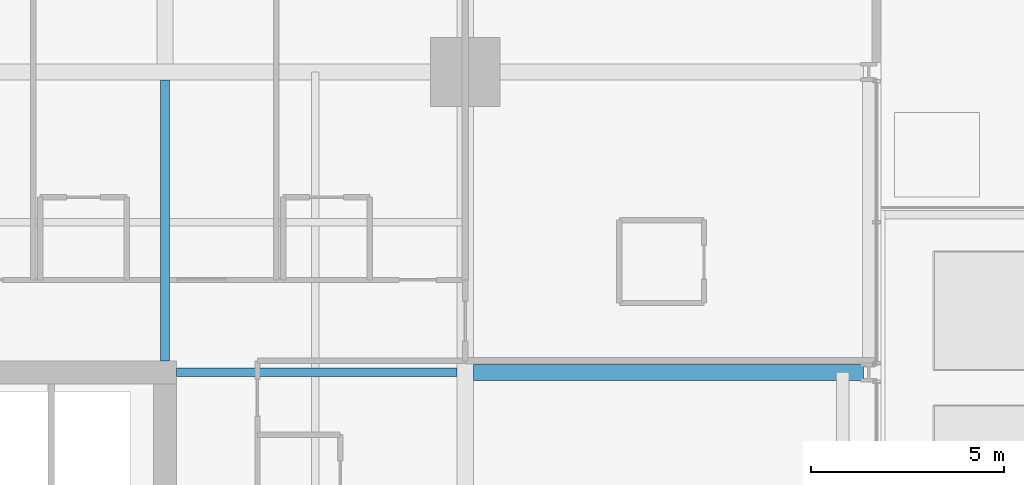
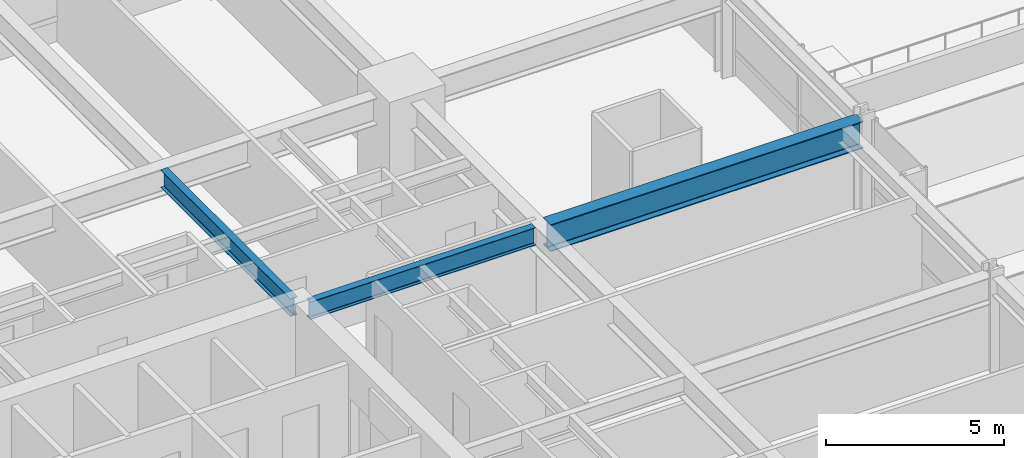
# One storey, part 24 of 42: 3 beams.
"""IFC4 building model written with IfcOpenShell, lengths in metres."""

from ifc_helpers import new_model, si_unit, direction, frame, origin, origin_2d, place, context, subcontext, project, spatial, i_section, extrude, material, material_profile, profile_set, type_object, element, save


model = new_model("IFC4")

# Units and contexts
model_context = context("Model", 3, precision=1e-05, world=origin(), true_north=direction((0.0, 1.0)))
body_context = subcontext(model_context, "Body", "Model", "MODEL_VIEW")
ifc_project = project(units=[si_unit("LENGTHUNIT", "METRE"), si_unit("AREAUNIT", "SQUARE_METRE"), si_unit("VOLUMEUNIT", "CUBIC_METRE"), si_unit("PLANEANGLEUNIT", "RADIAN"), si_unit("MASSUNIT", "GRAM", prefix="KILO")], contexts=[model_context])

# Site, building, storey
site_placement = place(None, origin())
site = spatial("IfcSite", under=ifc_project, at=site_placement, CompositionType="ELEMENT")
building_placement = place(site_placement, origin())
building = spatial("IfcBuilding", under=site, at=building_placement, Name="Drelvath Grand Hotel", CompositionType="ELEMENT")
storey_placement = place(building_placement, frame((0.0, 0.0, 33.199951171875)))
storey = spatial("IfcBuildingStorey", under=building, at=storey_placement, Name="L06", CompositionType="ELEMENT", Elevation=33.199951171875)

# Beams
ifc_material = material(Name="Steel ASTM A992 Gr 50", Category="steel")
ifc_material_profile_1 = material_profile(ifc_material, i_section(OverallWidth=0.228271484375, OverallDepth=0.607666015625, WebThickness=0.01123046875, FlangeThickness=0.017333984375, FilletRadius=0.02001953125, at=origin_2d()), Name="W24X76")
ifc_profile_set_1 = profile_set([ifc_material_profile_1], Name="Steel ASTM A992 Gr 50")
beam_type_1 = type_object("IfcBeamType", Name="Primary Floor Girder W24X76", PredefinedType="BEAM", material=ifc_profile_set_1)
for number, where, z_axis, x_axis, name in (
    (1, (8.699951171875, 35.39990234375, 2.936279296875), (1.0, 0.0, 0.0), (0.0, 1.0, 0.0), "L06 East Core Tie F"),
    (2, (8.39990234375, 35.699951171875, 2.936279296875), (0.0, 1.0, 0.0), (-1.0, 0.0, 0.0), "L06 North Core Tie 6"),
):
    element("IfcBeam", number, at=place(storey_placement, frame(where, z_axis=z_axis, x_axis=x_axis)), inside=storey, type_object=beam_type_1, Name=name, PredefinedType="BEAM", context=body_context, shape_type="SweptSolid", body=[
        extrude(i_section(OverallWidth=0.228271484375, OverallDepth=0.607666015625, WebThickness=0.01123046875, FlangeThickness=0.017333984375, FilletRadius=0.02001953125, at=origin_2d()), origin(), (0.0, 0.0, 1.0), 7.290771484375),
    ])
ifc_material_profile_2 = material_profile(ifc_material, i_section(OverallWidth=0.418212890625, OverallDepth=0.926513671875, WebThickness=0.019287109375, FlangeThickness=0.031982421875, FilletRadius=0.028076171875, at=origin_2d()), Name="W36X231")
ifc_profile_set_2 = profile_set([ifc_material_profile_2], Name="Steel ASTM A992 Gr 50")
beam_type_2 = type_object("IfcBeamType", Name="Primary Floor Girder W36X231", PredefinedType="BEAM", material=ifc_profile_set_2)
beam_placement = place(storey_placement, frame((16.4091796875, 35.39990234375, 2.77685546875), z_axis=(1.0, 0.0, 0.0), x_axis=(0.0, 1.0, 0.0)))
element("IfcBeam", 3, at=beam_placement, inside=storey, type_object=beam_type_2, Name="L06 East Wing Girder F", PredefinedType="BEAM", context=body_context, shape_type="SweptSolid", body=[
    extrude(i_section(OverallWidth=0.418212890625, OverallDepth=0.926513671875, WebThickness=0.019287109375, FlangeThickness=0.031982421875, FilletRadius=0.028076171875, at=origin_2d()), origin(), (0.0, 0.0, 1.0), 10.130859375),
])

save(model, "model.ifc")
